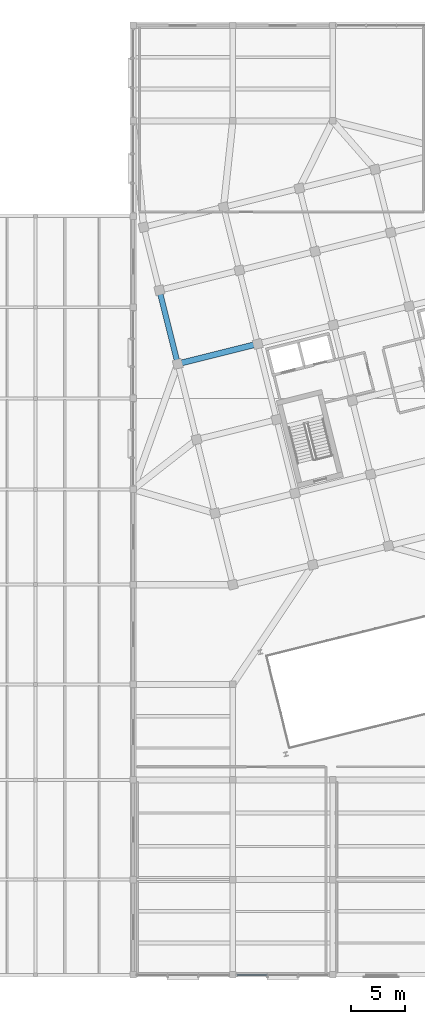
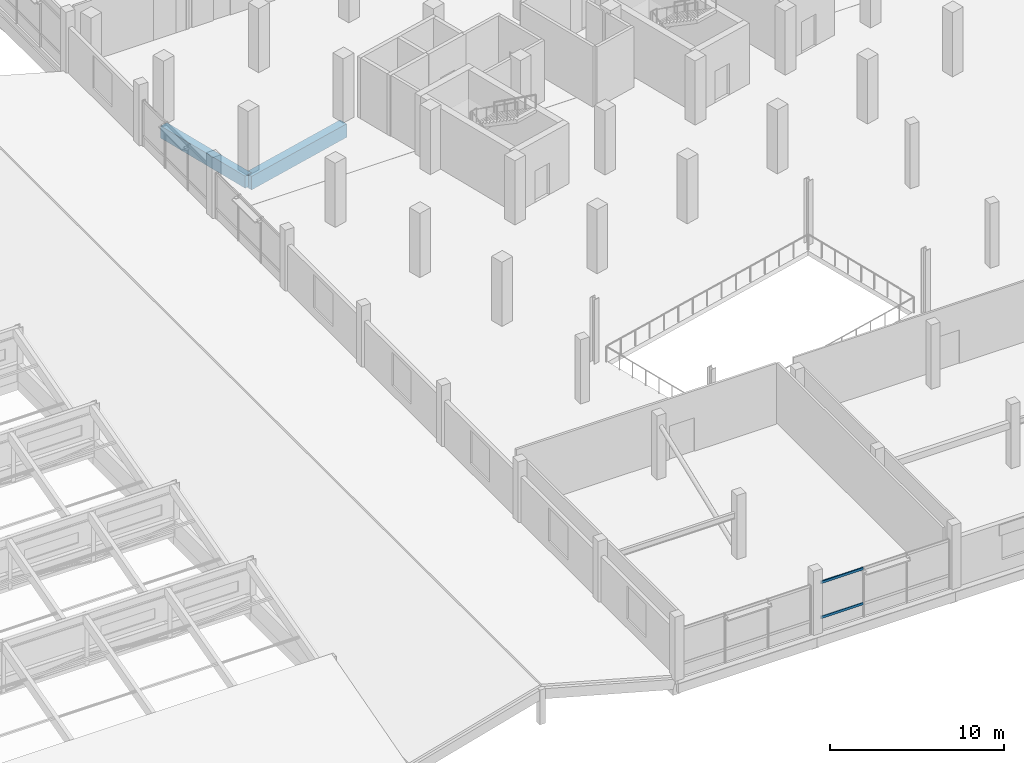
# One storey, part 23 of 77: 2 beams, 2 members, 1 element without a shape of its own.
"""IFC4 building model written with IfcOpenShell, lengths in metres."""

from ifc_helpers import new_model, si_unit, direction, frame, origin, origin_2d, place, context, subcontext, project, spatial, rectangle, hollow_rectangle, extrude, material, layer, layer_set, material_profile, profile_set, type_object, element, aggregate, save


model = new_model("IFC4")

# Units and contexts
model_context = context("Model", 3, precision=1e-05, world=origin(), true_north=direction((0.0, 1.0)))
body_context = subcontext(model_context, "Body", "Model", "MODEL_VIEW")
ifc_project = project(units=[si_unit("LENGTHUNIT", "METRE"), si_unit("AREAUNIT", "SQUARE_METRE"), si_unit("VOLUMEUNIT", "CUBIC_METRE"), si_unit("PLANEANGLEUNIT", "RADIAN"), si_unit("MASSUNIT", "GRAM", prefix="KILO")], contexts=[model_context])

# Site, building, storey
site_placement = place(None, origin())
site = spatial("IfcSite", under=ifc_project, at=site_placement, CompositionType="ELEMENT")
building_placement = place(site_placement, origin())
building = spatial("IfcBuilding", under=site, at=building_placement, Name="Meriwether Solvik Hall", CompositionType="ELEMENT")
storey_placement = place(building_placement, frame((0.0, 0.0, 9.89990234375)))
storey = spatial("IfcBuildingStorey", under=building, at=storey_placement, Name="L02", CompositionType="ELEMENT", Elevation=9.89990234375)

# Beams
ifc_material_1 = material(Name="Concrete C40/50", Category="concrete")
ifc_material_profile_1 = material_profile(ifc_material_1, rectangle(XDim=0.5, YDim=0.85009765625, at=origin_2d()), Name="RCB-500X850")
ifc_profile_set_1 = profile_set([ifc_material_profile_1], Name="Concrete C40/50")
beam_type_1 = type_object("IfcBeamType", Name="BM-RC-500X850", PredefinedType="BEAM", material=ifc_profile_set_1)
beam_1_placement = place(storey_placement, frame((63.51953125, 61.576171875, -0.7548828125), z_axis=(-0.241911879182, 0.970298223594, 0.0), x_axis=(-0.970298223594, -0.241911879182, 0.0)))
element("IfcBeam", 1, at=beam_1_placement, inside=storey, type_object=beam_type_1, Name="Tower Girder T1:TD-TE (L02)", PredefinedType="BEAM", context=body_context, shape_type="SweptSolid", body=[
    extrude(rectangle(XDim=0.5, YDim=0.85009765625, at=origin_2d()), origin(), (0.0, 0.0, 1.0), 7.0),
])
ifc_material_2 = material(Name="Concrete C40/50", Category="concrete")
ifc_material_profile_2 = material_profile(ifc_material_2, rectangle(XDim=0.550048828125, YDim=0.949951171875, at=origin_2d()), Name="RCB-550X950")
ifc_profile_set_2 = profile_set([ifc_material_profile_2], Name="Concrete C40/50")
beam_type_2 = type_object("IfcBeamType", Name="BM-RC-550X950", PredefinedType="BEAM", material=ifc_profile_set_2)
beam_2_placement = place(storey_placement, frame((63.51953125, 61.576171875, -0.804931640625), z_axis=(0.970295366785, 0.241923337436, 0.0), x_axis=(-0.241923337436, 0.970295366785, 0.0)))
element("IfcBeam", 2, at=beam_2_placement, inside=storey, type_object=beam_type_2, Name="Tower Girder TD:T1-T2 (L02)", PredefinedType="BEAM", context=body_context, shape_type="SweptSolid", body=[
    extrude(rectangle(XDim=0.550048828125, YDim=0.949951171875, at=origin_2d()), origin(), (0.0, 0.0, 1.0), 7.60009765625),
])

# Curtain wall, members
ifc_material_3 = material(Name="Thermally Broken Anodised Aluminium 6063-T6 and Low-E Glass", Category="aluminium")
ifc_layer = layer(ifc_material_3, 0.179931640625)
ifc_layer_set = layer_set([ifc_layer], Name="Thermally Broken Anodised Aluminium 6063-T6 and Low-E Glass")
curtain_wall_type = type_object("IfcCurtainWallType", Name="CW-SF-POD-C", PredefinedType="USERDEFINED", material=ifc_layer_set)
curtain_wall_placement = place(storey_placement, origin())
curtain_wall = element("IfcCurtainWall", 3, at=curtain_wall_placement, inside=storey, type_object=curtain_wall_type, Name="Curtain Wall wing_XA_8_1 (L02)", ObjectType="STICK STOREFRONT GLAZING", PredefinedType="USERDEFINED")
ifc_material_4 = material(Name="Anodised Aluminium 6063-T6", Category="aluminium")
ifc_material_profile_3 = material_profile(ifc_material_4, hollow_rectangle(XDim=0.074951171875, YDim=0.169921875, WallThickness=0.005615234375, at=origin_2d()), Name="CWT-75X170")
ifc_profile_set_3 = profile_set([ifc_material_profile_3], Name="Anodised Aluminium 6063-T6")
member_type = type_object("IfcMemberType", Name="CW-TRN-75X170", PredefinedType="USERDEFINED", material=ifc_profile_set_3)
member_1_placement = place(storey_placement, frame((71.770751953125, 5.199951171875, 0.880126953125), z_axis=(-1.0, 0.0, 0.0), x_axis=(0.0, -1.0, 0.0)))
member_1 = element("IfcMember", 4, at=member_1_placement, type_object=member_type, Name="Curtain Wall Transom 3-sill", ObjectType="TRANSOM", PredefinedType="USERDEFINED", context=body_context, shape_type="SweptSolid", body=[
    extrude(hollow_rectangle(XDim=0.074951171875, YDim=0.169921875, WallThickness=0.005615234375, at=origin_2d()), origin(), (0.0, 0.0, 1.0), 2.82080078125),
])
member_2_placement = place(storey_placement, frame((71.770751953125, 5.199951171875, 3.335205078125), z_axis=(-1.0, 0.0, 0.0), x_axis=(0.0, -1.0, 0.0)))
member_2 = element("IfcMember", 5, at=member_2_placement, type_object=member_type, Name="Curtain Wall Transom 3-head", ObjectType="TRANSOM", PredefinedType="USERDEFINED", context=body_context, shape_type="SweptSolid", body=[
    extrude(hollow_rectangle(XDim=0.074951171875, YDim=0.169921875, WallThickness=0.005615234375, at=origin_2d()), origin(), (0.0, 0.0, 1.0), 2.82080078125),
])
aggregate(curtain_wall, [member_1, member_2])

save(model, "model.ifc")
